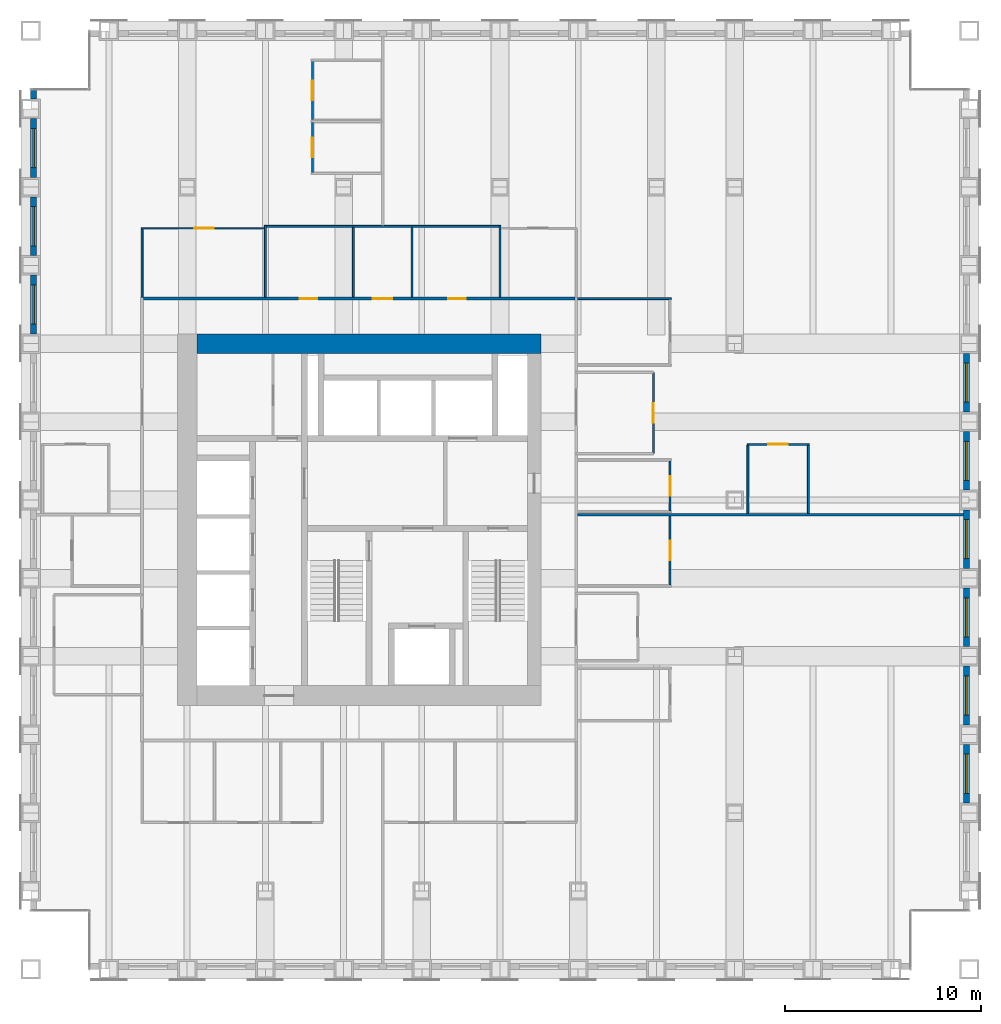
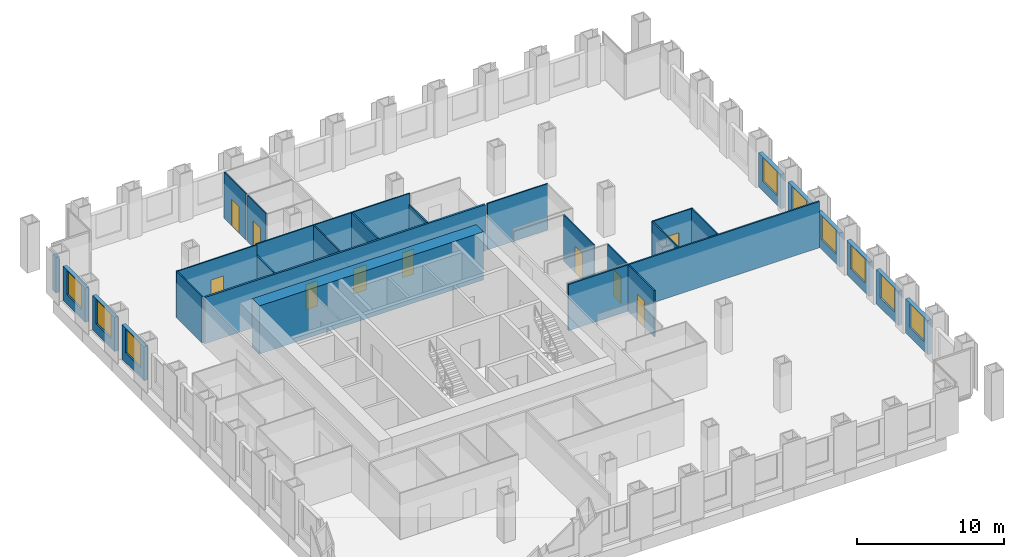
# One storey, part 13 of 16: 29 walls, 10 doors, 9 windows, 19 openings.
"""IFC4 building model written with IfcOpenShell, lengths in metres."""

from ifc_helpers import new_model, si_unit, direction, frame, frame_2d, origin, place, context, subcontext, project, spatial, rectangle, extrude, material, layer, layer_set, type_object, element, fill, save


model = new_model("IFC4")

# Units and contexts
model_context = context("Model", 3, precision=1e-05, world=origin(), true_north=direction((0.0, 1.0)))
body_context = subcontext(model_context, "Body", "Model", "MODEL_VIEW")
ifc_project = project(units=[si_unit("LENGTHUNIT", "METRE"), si_unit("AREAUNIT", "SQUARE_METRE"), si_unit("VOLUMEUNIT", "CUBIC_METRE"), si_unit("PLANEANGLEUNIT", "RADIAN"), si_unit("MASSUNIT", "GRAM", prefix="KILO")], contexts=[model_context])

# Site, building, storey
site_placement = place(None, origin())
site = spatial("IfcSite", under=ifc_project, at=site_placement, CompositionType="ELEMENT")
building_placement = place(site_placement, origin())
building = spatial("IfcBuilding", under=site, at=building_placement, Name="Rimbunsela Tower", CompositionType="ELEMENT")
storey_placement = place(building_placement, frame((0.0, 0.0, 129.39990234375)))
storey = spatial("IfcBuildingStorey", under=building, at=storey_placement, Name="L31", CompositionType="ELEMENT", Elevation=129.39990234375)

# Wall
ifc_material_1 = material(Name="Concrete fc' 80 MPa", Category="concrete")
ifc_layer_1 = layer(ifc_material_1, 1.0)
ifc_layer_set_1 = layer_set([ifc_layer_1], Name="Core wall 1000")
wall_type_1 = type_object("IfcWallType", Name="Core wall 1000", PredefinedType="SHEAR", material=ifc_layer_set_1)
wall_1_placement = place(storey_placement, frame((18.5, 36.0, -0.14990234375), z_axis=(0.0, 0.0, 1.0), x_axis=(1.0, 0.0, 0.0)))
element("IfcWall", 1, at=wall_1_placement, inside=storey, type_object=wall_type_1, Name="Core wall north", PredefinedType="SHEAR", context=body_context, shape_type="SweptSolid", body=[
    extrude(rectangle(XDim=17.60009765625, YDim=1.0, at=frame_2d((8.800048828125, 0.0))), origin(), (0.0, 0.0, 1.0), 4.0),
])

# Wall, opening, door
ifc_material_2 = material(Name="Gypsum board on steel studs", Category="steel")
ifc_layer_2 = layer(ifc_material_2, 0.10009765625)
ifc_layer_set_2 = layer_set([ifc_layer_2], Name="Office partition 100")
wall_type_2 = type_object("IfcWallType", Name="Office partition 100", PredefinedType="PARTITIONING", material=ifc_layer_set_2)
wall_2_placement = place(storey_placement, frame((46.625, 30.85009765625, 0.0), z_axis=(0.0, 0.0, 1.0), x_axis=(1.0, 0.0, 0.0)))
wall_2 = element("IfcWall", 2, at=wall_2_placement, inside=storey, type_object=wall_type_2, Name="Office partition", PredefinedType="PARTITIONING", context=body_context, shape_type="SweptSolid", body=[
    extrude(rectangle(XDim=3.199951171875, YDim=0.10009765625, at=frame_2d((1.60009765625, 0.0))), origin(), (0.0, 0.0, 1.0), 3.85009765625),
])
opening_1_placement = place(wall_2_placement, frame((1.10009765625, 0.0, 0.0)))
opening_1 = element("IfcOpeningElement", 3, at=opening_1_placement, cuts=wall_2, Name="Opening D16", PredefinedType="OPENING", context=body_context, shape_type="SweptSolid", body=[
    extrude(rectangle(XDim=1.0, YDim=2.199951171875, at=frame_2d((0.5, 1.10009765625))), frame((0.0, 0.06005859375, 0.0), z_axis=(0.0, -1.0, 0.0), x_axis=(1.0, 0.0, 0.0)), (0.0, 0.0, 1.0), 0.1201171875),
])
ifc_material_3 = material(Name="Timber door", Category="wood")
door_type_1 = type_object("IfcDoorType", Name="Office door 1000", OperationType="SINGLE_SWING_LEFT", PredefinedType="DOOR", material=ifc_material_3)
door_1_placement = place(opening_1_placement, origin())
door_1 = element("IfcDoor", 4, at=door_1_placement, inside=storey, type_object=door_type_1, Name="Office door", OperationType="SINGLE_SWING_LEFT", OverallHeight=2.199951171875, OverallWidth=1.0, PredefinedType="DOOR", context=body_context, shape_type="SweptSolid", body=[
    extrude(rectangle(XDim=1.0, YDim=2.199951171875, at=frame_2d((0.5, 1.10009765625))), frame((0.0, 0.02490234375, 0.0), z_axis=(0.0, -1.0, 0.0), x_axis=(1.0, 0.0, 0.0)), (0.0, 0.0, 1.0), 0.050048828125),
])
fill(opening_1, door_1)

# Wall
wall_3_placement = place(storey_placement, frame((37.97509765625, 38.300048828125, 0.0), z_axis=(0.0, 0.0, 1.0), x_axis=(1.0, 0.0, 0.0)))
element("IfcWall", 5, at=wall_3_placement, inside=storey, type_object=wall_type_2, Name="Office partition", PredefinedType="PARTITIONING", context=body_context, shape_type="SweptSolid", body=[
    extrude(rectangle(XDim=4.77490234375, YDim=0.10009765625, at=frame_2d((2.387451171875, 0.0))), origin(), (0.0, 0.0, 1.0), 3.85009765625),
])

# Wall, opening, door
wall_4_placement = place(storey_placement, frame((15.64990234375, 41.89990234375, 0.0), z_axis=(0.0, 0.0, 1.0), x_axis=(1.0, 0.0, 0.0)))
wall_4 = element("IfcWall", 6, at=wall_4_placement, inside=storey, type_object=wall_type_2, Name="Office partition", PredefinedType="PARTITIONING", context=body_context, shape_type="SweptSolid", body=[
    extrude(rectangle(XDim=6.300048828125, YDim=0.10009765625, at=frame_2d((3.14990234375, 0.0))), origin(), (0.0, 0.0, 1.0), 3.85009765625),
])
opening_2_placement = place(wall_4_placement, frame((2.699951171875, 0.0, 0.0)))
opening_2 = element("IfcOpeningElement", 7, at=opening_2_placement, cuts=wall_4, Name="Opening D17", PredefinedType="OPENING", context=body_context, shape_type="SweptSolid", body=[
    extrude(rectangle(XDim=1.0, YDim=2.199951171875, at=frame_2d((0.5, 1.10009765625))), frame((0.0, 0.06005859375, 0.0), z_axis=(0.0, -1.0, 0.0), x_axis=(1.0, 0.0, 0.0)), (0.0, 0.0, 1.0), 0.1201171875),
])
ifc_material_4 = material(Name="Glazed aluminium door", Category="aluminium")
door_type_2 = type_object("IfcDoorType", Name="Meeting room door 1000 glazed", OperationType="SINGLE_SWING_RIGHT", PredefinedType="DOOR", material=ifc_material_4)
door_2_placement = place(opening_2_placement, origin())
door_2 = element("IfcDoor", 8, at=door_2_placement, inside=storey, type_object=door_type_2, Name="Meeting room door", OperationType="SINGLE_SWING_RIGHT", OverallHeight=2.199951171875, OverallWidth=1.0, PredefinedType="DOOR", context=body_context, shape_type="SweptSolid", body=[
    extrude(rectangle(XDim=1.0, YDim=2.199951171875, at=frame_2d((0.5, 1.10009765625))), frame((0.0, 0.02490234375, 0.0), z_axis=(0.0, -1.0, 0.0), x_axis=(1.0, 0.0, 0.0)), (0.0, 0.0, 1.0), 0.050048828125),
])
fill(opening_2, door_2)

# Wall
wall_5_placement = place(storey_placement, frame((15.699951171875, 38.375, 0.0), z_axis=(0.0, 0.0, 1.0), x_axis=(0.0, 1.0, 0.0)))
element("IfcWall", 9, at=wall_5_placement, inside=storey, type_object=wall_type_2, Name="Office partition", PredefinedType="PARTITIONING", context=body_context, shape_type="SweptSolid", body=[
    extrude(rectangle(XDim=3.47509765625, YDim=0.10009765625, at=frame_2d((1.737548828125, 0.0))), origin(), (0.0, 0.0, 1.0), 3.85009765625),
])

# Wall, opening, door
wall_6_placement = place(storey_placement, frame((24.39990234375, 44.75, 0.0), z_axis=(0.0, 0.0, 1.0), x_axis=(0.0, 1.0, 0.0)))
wall_6 = element("IfcWall", 10, at=wall_6_placement, inside=storey, type_object=wall_type_2, Name="Office partition", PredefinedType="PARTITIONING", context=body_context, shape_type="SweptSolid", body=[
    extrude(rectangle(XDim=2.550048828125, YDim=0.10009765625, at=frame_2d((1.27490234375, 0.0))), origin(), (0.0, 0.0, 1.0), 3.85009765625),
])
opening_3_placement = place(wall_6_placement, frame((0.77490234375, 0.0, 0.0)))
opening_3 = element("IfcOpeningElement", 11, at=opening_3_placement, cuts=wall_6, Name="Opening D16", PredefinedType="OPENING", context=body_context, shape_type="SweptSolid", body=[
    extrude(rectangle(XDim=1.0, YDim=2.199951171875, at=frame_2d((0.5, 1.10009765625))), frame((0.0, 0.06005859375, 0.0), z_axis=(0.0, -1.0, 0.0), x_axis=(1.0, 0.0, 0.0)), (0.0, 0.0, 1.0), 0.1201171875),
])
door_3_placement = place(opening_3_placement, origin())
door_3 = element("IfcDoor", 12, at=door_3_placement, inside=storey, type_object=door_type_1, Name="Office door", OperationType="SINGLE_SWING_LEFT", OverallHeight=2.199951171875, OverallWidth=1.0, PredefinedType="DOOR", context=body_context, shape_type="SweptSolid", body=[
    extrude(rectangle(XDim=1.0, YDim=2.199951171875, at=frame_2d((0.5, 1.10009765625))), frame((0.0, 0.02490234375, 0.0), z_axis=(0.0, -1.0, 0.0), x_axis=(1.0, 0.0, 0.0)), (0.0, 0.0, 1.0), 0.050048828125),
])
fill(opening_3, door_3)

wall_7_placement = place(storey_placement, frame((24.39990234375, 47.449951171875, 0.0), z_axis=(0.0, 0.0, 1.0), x_axis=(0.0, 1.0, 0.0)))
wall_7 = element("IfcWall", 13, at=wall_7_placement, inside=storey, type_object=wall_type_2, Name="Office partition", PredefinedType="PARTITIONING", context=body_context, shape_type="SweptSolid", body=[
    extrude(rectangle(XDim=3.0, YDim=0.10009765625, at=frame_2d((1.5, 0.0))), origin(), (0.0, 0.0, 1.0), 3.85009765625),
])
opening_4_placement = place(wall_7_placement, frame((1.0, 0.0, 0.0)))
opening_4 = element("IfcOpeningElement", 14, at=opening_4_placement, cuts=wall_7, Name="Opening D16", PredefinedType="OPENING", context=body_context, shape_type="SweptSolid", body=[
    extrude(rectangle(XDim=1.0, YDim=2.199951171875, at=frame_2d((0.5, 1.10009765625))), frame((0.0, 0.06005859375, 0.0), z_axis=(0.0, -1.0, 0.0), x_axis=(1.0, 0.0, 0.0)), (0.0, 0.0, 1.0), 0.1201171875),
])
door_4_placement = place(opening_4_placement, origin())
door_4 = element("IfcDoor", 15, at=door_4_placement, inside=storey, type_object=door_type_1, Name="Office door", OperationType="SINGLE_SWING_LEFT", OverallHeight=2.199951171875, OverallWidth=1.0, PredefinedType="DOOR", context=body_context, shape_type="SweptSolid", body=[
    extrude(rectangle(XDim=1.0, YDim=2.199951171875, at=frame_2d((0.5, 1.10009765625))), frame((0.0, 0.02490234375, 0.0), z_axis=(0.0, -1.0, 0.0), x_axis=(1.0, 0.0, 0.0)), (0.0, 0.0, 1.0), 0.050048828125),
])
fill(opening_4, door_4)

wall_8_placement = place(storey_placement, frame((42.699951171875, 23.64892578125, 0.0), z_axis=(0.0, 0.0, 1.0), x_axis=(0.0, 1.0, 0.0)))
wall_8 = element("IfcWall", 16, at=wall_8_placement, inside=storey, type_object=wall_type_2, Name="Office partition", PredefinedType="PARTITIONING", context=body_context, shape_type="SweptSolid", body=[
    extrude(rectangle(XDim=3.5400390625, YDim=0.10009765625, at=frame_2d((1.77001953125, 0.0))), origin(), (0.0, 0.0, 1.0), 3.85009765625),
])
opening_5_placement = place(wall_8_placement, frame((1.27490234375, 0.0, 0.0)))
opening_5 = element("IfcOpeningElement", 17, at=opening_5_placement, cuts=wall_8, Name="Opening D16", PredefinedType="OPENING", context=body_context, shape_type="SweptSolid", body=[
    extrude(rectangle(XDim=1.0, YDim=2.199951171875, at=frame_2d((0.5, 1.10009765625))), frame((0.0, 0.06005859375, 0.0), z_axis=(0.0, -1.0, 0.0), x_axis=(1.0, 0.0, 0.0)), (0.0, 0.0, 1.0), 0.1201171875),
])
door_5_placement = place(opening_5_placement, origin())
door_5 = element("IfcDoor", 18, at=door_5_placement, inside=storey, type_object=door_type_1, Name="Office door", OperationType="SINGLE_SWING_LEFT", OverallHeight=2.199951171875, OverallWidth=1.0, PredefinedType="DOOR", context=body_context, shape_type="SweptSolid", body=[
    extrude(rectangle(XDim=1.0, YDim=2.199951171875, at=frame_2d((0.5, 1.10009765625))), frame((0.0, 0.02490234375, 0.0), z_axis=(0.0, -1.0, 0.0), x_axis=(1.0, 0.0, 0.0)), (0.0, 0.0, 1.0), 0.050048828125),
])
fill(opening_5, door_5)

wall_9_placement = place(storey_placement, frame((42.699951171875, 27.449951171875, 0.0), z_axis=(0.0, 0.0, 1.0), x_axis=(0.0, 1.0, 0.0)))
wall_9 = element("IfcWall", 19, at=wall_9_placement, inside=storey, type_object=wall_type_2, Name="Office partition", PredefinedType="PARTITIONING", context=body_context, shape_type="SweptSolid", body=[
    extrude(rectangle(XDim=2.550048828125, YDim=0.10009765625, at=frame_2d((1.27490234375, 0.0))), origin(), (0.0, 0.0, 1.0), 3.85009765625),
])
opening_6_placement = place(wall_9_placement, frame((0.77490234375, 0.0, 0.0)))
opening_6 = element("IfcOpeningElement", 20, at=opening_6_placement, cuts=wall_9, Name="Opening D16", PredefinedType="OPENING", context=body_context, shape_type="SweptSolid", body=[
    extrude(rectangle(XDim=1.0, YDim=2.199951171875, at=frame_2d((0.5, 1.10009765625))), frame((0.0, 0.06005859375, 0.0), z_axis=(0.0, -1.0, 0.0), x_axis=(1.0, 0.0, 0.0)), (0.0, 0.0, 1.0), 0.1201171875),
])
door_6_placement = place(opening_6_placement, origin())
door_6 = element("IfcDoor", 21, at=door_6_placement, inside=storey, type_object=door_type_1, Name="Office door", OperationType="SINGLE_SWING_LEFT", OverallHeight=2.199951171875, OverallWidth=1.0, PredefinedType="DOOR", context=body_context, shape_type="SweptSolid", body=[
    extrude(rectangle(XDim=1.0, YDim=2.199951171875, at=frame_2d((0.5, 1.10009765625))), frame((0.0, 0.02490234375, 0.0), z_axis=(0.0, -1.0, 0.0), x_axis=(1.0, 0.0, 0.0)), (0.0, 0.0, 1.0), 0.050048828125),
])
fill(opening_6, door_6)

# Walls
for number, where, z_axis, x_axis, name in (
    (22, (46.675048828125, 27.31005859375, 0.0), (0.0, 0.0, 1.0), (0.0, 1.0, 0.0), "Office partition"),
    (23, (49.77490234375, 27.31005859375, 0.0), (0.0, 0.0, 1.0), (0.0, 1.0, 0.0), "Office partition"),
):
    element("IfcWall", number, at=place(storey_placement, frame(where, z_axis=z_axis, x_axis=x_axis)), inside=storey, type_object=wall_type_2, Name=name, PredefinedType="PARTITIONING", context=body_context, shape_type="SweptSolid", body=[
        extrude(rectangle(XDim=3.489990234375, YDim=0.10009765625, at=frame_2d((1.7451171875, 0.0))), origin(), (0.0, 0.0, 1.0), 3.85009765625),
    ])

# Wall, opening, door
wall_10_placement = place(storey_placement, frame((41.85009765625, 30.3759765625, 0.0), z_axis=(0.0, 0.0, 1.0), x_axis=(0.0, 1.0, 0.0)))
wall_10 = element("IfcWall", 24, at=wall_10_placement, inside=storey, type_object=wall_type_2, Name="Office partition", PredefinedType="PARTITIONING", context=body_context, shape_type="SweptSolid", body=[
    extrude(rectangle(XDim=4.14990234375, YDim=0.10009765625, at=frame_2d((2.074951171875, 0.0))), origin(), (0.0, 0.0, 1.0), 3.85009765625),
])
opening_7_placement = place(wall_10_placement, frame((1.574951171875, 0.0, 0.0)))
opening_7 = element("IfcOpeningElement", 25, at=opening_7_placement, cuts=wall_10, Name="Opening D17", PredefinedType="OPENING", context=body_context, shape_type="SweptSolid", body=[
    extrude(rectangle(XDim=1.0, YDim=2.199951171875, at=frame_2d((0.5, 1.10009765625))), frame((0.0, 0.06005859375, 0.0), z_axis=(0.0, -1.0, 0.0), x_axis=(1.0, 0.0, 0.0)), (0.0, 0.0, 1.0), 0.1201171875),
])
door_7_placement = place(opening_7_placement, origin())
door_7 = element("IfcDoor", 26, at=door_7_placement, inside=storey, type_object=door_type_2, Name="Reception door", OperationType="SINGLE_SWING_RIGHT", OverallHeight=2.199951171875, OverallWidth=1.0, PredefinedType="DOOR", context=body_context, shape_type="SweptSolid", body=[
    extrude(rectangle(XDim=1.0, YDim=2.199951171875, at=frame_2d((0.5, 1.10009765625))), frame((0.0, 0.02490234375, 0.0), z_axis=(0.0, -1.0, 0.0), x_axis=(1.0, 0.0, 0.0)), (0.0, 0.0, 1.0), 0.050048828125),
])
fill(opening_7, door_7)

# Wall, opening, window
ifc_material_5 = material(Name="Precast concrete fc' 35 MPa", Category="concrete")
ifc_layer_3 = layer(ifc_material_5, 0.300048828125)
ifc_layer_set_3 = layer_set([ifc_layer_3], Name="Precast concrete fc' 35 MPa")
wall_type_3 = type_object("IfcWallType", Name="Precast facade panel 300", PredefinedType="ELEMENTEDWALL", material=ifc_layer_set_3)
wall_11_placement = place(storey_placement, frame((57.85009765625, 12.5, 0.0), z_axis=(0.0, 0.0, 1.0), x_axis=(0.0, 1.0, 0.0)))
wall_11 = element("IfcWall", 27, at=wall_11_placement, inside=storey, type_object=wall_type_3, Name="Facade panel E L31", PredefinedType="ELEMENTEDWALL", context=body_context, shape_type="SweptSolid", body=[
    extrude(rectangle(XDim=3.0, YDim=0.300048828125, at=frame_2d((1.5, 0.0))), origin(), (0.0, 0.0, 1.0), 2.85009765625),
])
opening_8_placement = place(wall_11_placement, frame((0.5, 0.0, 0.800048828125)))
opening_8 = element("IfcOpeningElement", 28, at=opening_8_placement, cuts=wall_11, Name="Opening W1", PredefinedType="OPENING", context=body_context, shape_type="SweptSolid", body=[
    extrude(rectangle(XDim=2.0, YDim=2.0, at=frame_2d((1.0, 1.0))), frame((0.0, 0.159912109375, 0.0), z_axis=(0.0, -1.0, 0.0), x_axis=(1.0, 0.0, 0.0)), (0.0, 0.0, 1.0), 0.320068359375),
])
ifc_material_6 = material(Name="Clear glass in aluminium frame", Category="aluminium")
window_type = type_object("IfcWindowType", Name="Window W1 2000x2000", PartitioningType="DOUBLE_PANEL_VERTICAL", PredefinedType="WINDOW", material=ifc_material_6)
window_1_placement = place(opening_8_placement, origin())
window_1 = element("IfcWindow", 29, at=window_1_placement, inside=storey, type_object=window_type, Name="Window L31", OverallHeight=2.0, OverallWidth=2.0, PartitioningType="SINGLE_PANEL", PredefinedType="WINDOW", context=body_context, shape_type="SweptSolid", body=[
    extrude(rectangle(XDim=2.0, YDim=2.0, at=frame_2d((1.0, 1.0))), frame((0.0, 0.030029296875, 0.0), z_axis=(0.0, -1.0, 0.0), x_axis=(1.0, 0.0, 0.0)), (0.0, 0.0, 1.0), 0.06005859375),
])
fill(opening_8, window_1)

wall_12_placement = place(storey_placement, frame((57.85009765625, 16.5, 0.0), z_axis=(0.0, 0.0, 1.0), x_axis=(0.0, 1.0, 0.0)))
wall_12 = element("IfcWall", 30, at=wall_12_placement, inside=storey, type_object=wall_type_3, Name="Facade panel E L31", PredefinedType="ELEMENTEDWALL", context=body_context, shape_type="SweptSolid", body=[
    extrude(rectangle(XDim=3.0, YDim=0.300048828125, at=frame_2d((1.5, 0.0))), origin(), (0.0, 0.0, 1.0), 2.85009765625),
])
opening_9_placement = place(wall_12_placement, frame((0.5, 0.0, 0.800048828125)))
opening_9 = element("IfcOpeningElement", 31, at=opening_9_placement, cuts=wall_12, Name="Opening W1", PredefinedType="OPENING", context=body_context, shape_type="SweptSolid", body=[
    extrude(rectangle(XDim=2.0, YDim=2.0, at=frame_2d((1.0, 1.0))), frame((0.0, 0.159912109375, 0.0), z_axis=(0.0, -1.0, 0.0), x_axis=(1.0, 0.0, 0.0)), (0.0, 0.0, 1.0), 0.320068359375),
])
window_2_placement = place(opening_9_placement, origin())
window_2 = element("IfcWindow", 32, at=window_2_placement, inside=storey, type_object=window_type, Name="Window L31", OverallHeight=2.0, OverallWidth=2.0, PartitioningType="SINGLE_PANEL", PredefinedType="WINDOW", context=body_context, shape_type="SweptSolid", body=[
    extrude(rectangle(XDim=2.0, YDim=2.0, at=frame_2d((1.0, 1.0))), frame((0.0, 0.030029296875, 0.0), z_axis=(0.0, -1.0, 0.0), x_axis=(1.0, 0.0, 0.0)), (0.0, 0.0, 1.0), 0.06005859375),
])
fill(opening_9, window_2)

wall_13_placement = place(storey_placement, frame((57.85009765625, 20.5, 0.0), z_axis=(0.0, 0.0, 1.0), x_axis=(0.0, 1.0, 0.0)))
wall_13 = element("IfcWall", 33, at=wall_13_placement, inside=storey, type_object=wall_type_3, Name="Facade panel E L31", PredefinedType="ELEMENTEDWALL", context=body_context, shape_type="SweptSolid", body=[
    extrude(rectangle(XDim=3.0, YDim=0.300048828125, at=frame_2d((1.5, 0.0))), origin(), (0.0, 0.0, 1.0), 2.85009765625),
])
opening_10_placement = place(wall_13_placement, frame((0.5, 0.0, 0.800048828125)))
opening_10 = element("IfcOpeningElement", 34, at=opening_10_placement, cuts=wall_13, Name="Opening W1", PredefinedType="OPENING", context=body_context, shape_type="SweptSolid", body=[
    extrude(rectangle(XDim=2.0, YDim=2.0, at=frame_2d((1.0, 1.0))), frame((0.0, 0.159912109375, 0.0), z_axis=(0.0, -1.0, 0.0), x_axis=(1.0, 0.0, 0.0)), (0.0, 0.0, 1.0), 0.320068359375),
])
window_3_placement = place(opening_10_placement, origin())
window_3 = element("IfcWindow", 35, at=window_3_placement, inside=storey, type_object=window_type, Name="Window L31", OverallHeight=2.0, OverallWidth=2.0, PartitioningType="SINGLE_PANEL", PredefinedType="WINDOW", context=body_context, shape_type="SweptSolid", body=[
    extrude(rectangle(XDim=2.0, YDim=2.0, at=frame_2d((1.0, 1.0))), frame((0.0, 0.030029296875, 0.0), z_axis=(0.0, -1.0, 0.0), x_axis=(1.0, 0.0, 0.0)), (0.0, 0.0, 1.0), 0.06005859375),
])
fill(opening_10, window_3)

wall_14_placement = place(storey_placement, frame((57.85009765625, 24.5, 0.0), z_axis=(0.0, 0.0, 1.0), x_axis=(0.0, 1.0, 0.0)))
wall_14 = element("IfcWall", 36, at=wall_14_placement, inside=storey, type_object=wall_type_3, Name="Facade panel E L31", PredefinedType="ELEMENTEDWALL", context=body_context, shape_type="SweptSolid", body=[
    extrude(rectangle(XDim=3.0, YDim=0.300048828125, at=frame_2d((1.5, 0.0))), origin(), (0.0, 0.0, 1.0), 2.85009765625),
])
opening_11_placement = place(wall_14_placement, frame((0.5, 0.0, 0.800048828125)))
opening_11 = element("IfcOpeningElement", 37, at=opening_11_placement, cuts=wall_14, Name="Opening W1", PredefinedType="OPENING", context=body_context, shape_type="SweptSolid", body=[
    extrude(rectangle(XDim=2.0, YDim=2.0, at=frame_2d((1.0, 1.0))), frame((0.0, 0.159912109375, 0.0), z_axis=(0.0, -1.0, 0.0), x_axis=(1.0, 0.0, 0.0)), (0.0, 0.0, 1.0), 0.320068359375),
])
window_4_placement = place(opening_11_placement, origin())
window_4 = element("IfcWindow", 38, at=window_4_placement, inside=storey, type_object=window_type, Name="Window L31", OverallHeight=2.0, OverallWidth=2.0, PartitioningType="SINGLE_PANEL", PredefinedType="WINDOW", context=body_context, shape_type="SweptSolid", body=[
    extrude(rectangle(XDim=2.0, YDim=2.0, at=frame_2d((1.0, 1.0))), frame((0.0, 0.030029296875, 0.0), z_axis=(0.0, -1.0, 0.0), x_axis=(1.0, 0.0, 0.0)), (0.0, 0.0, 1.0), 0.06005859375),
])
fill(opening_11, window_4)

wall_15_placement = place(storey_placement, frame((57.85009765625, 28.5, 0.0), z_axis=(0.0, 0.0, 1.0), x_axis=(0.0, 1.0, 0.0)))
wall_15 = element("IfcWall", 39, at=wall_15_placement, inside=storey, type_object=wall_type_3, Name="Facade panel E L31", PredefinedType="ELEMENTEDWALL", context=body_context, shape_type="SweptSolid", body=[
    extrude(rectangle(XDim=3.0, YDim=0.300048828125, at=frame_2d((1.5, 0.0))), origin(), (0.0, 0.0, 1.0), 2.85009765625),
])
opening_12_placement = place(wall_15_placement, frame((0.5, 0.0, 0.800048828125)))
opening_12 = element("IfcOpeningElement", 40, at=opening_12_placement, cuts=wall_15, Name="Opening W1", PredefinedType="OPENING", context=body_context, shape_type="SweptSolid", body=[
    extrude(rectangle(XDim=2.0, YDim=2.0, at=frame_2d((1.0, 1.0))), frame((0.0, 0.159912109375, 0.0), z_axis=(0.0, -1.0, 0.0), x_axis=(1.0, 0.0, 0.0)), (0.0, 0.0, 1.0), 0.320068359375),
])
window_5_placement = place(opening_12_placement, origin())
window_5 = element("IfcWindow", 41, at=window_5_placement, inside=storey, type_object=window_type, Name="Window L31", OverallHeight=2.0, OverallWidth=2.0, PartitioningType="SINGLE_PANEL", PredefinedType="WINDOW", context=body_context, shape_type="SweptSolid", body=[
    extrude(rectangle(XDim=2.0, YDim=2.0, at=frame_2d((1.0, 1.0))), frame((0.0, 0.030029296875, 0.0), z_axis=(0.0, -1.0, 0.0), x_axis=(1.0, 0.0, 0.0)), (0.0, 0.0, 1.0), 0.06005859375),
])
fill(opening_12, window_5)

wall_16_placement = place(storey_placement, frame((57.85009765625, 32.5, 0.0), z_axis=(0.0, 0.0, 1.0), x_axis=(0.0, 1.0, 0.0)))
wall_16 = element("IfcWall", 42, at=wall_16_placement, inside=storey, type_object=wall_type_3, Name="Facade panel E L31", PredefinedType="ELEMENTEDWALL", context=body_context, shape_type="SweptSolid", body=[
    extrude(rectangle(XDim=3.0, YDim=0.300048828125, at=frame_2d((1.5, 0.0))), origin(), (0.0, 0.0, 1.0), 2.85009765625),
])
opening_13_placement = place(wall_16_placement, frame((0.5, 0.0, 0.800048828125)))
opening_13 = element("IfcOpeningElement", 43, at=opening_13_placement, cuts=wall_16, Name="Opening W1", PredefinedType="OPENING", context=body_context, shape_type="SweptSolid", body=[
    extrude(rectangle(XDim=2.0, YDim=2.0, at=frame_2d((1.0, 1.0))), frame((0.0, 0.159912109375, 0.0), z_axis=(0.0, -1.0, 0.0), x_axis=(1.0, 0.0, 0.0)), (0.0, 0.0, 1.0), 0.320068359375),
])
window_6_placement = place(opening_13_placement, origin())
window_6 = element("IfcWindow", 44, at=window_6_placement, inside=storey, type_object=window_type, Name="Window L31", OverallHeight=2.0, OverallWidth=2.0, PartitioningType="SINGLE_PANEL", PredefinedType="WINDOW", context=body_context, shape_type="SweptSolid", body=[
    extrude(rectangle(XDim=2.0, YDim=2.0, at=frame_2d((1.0, 1.0))), frame((0.0, 0.030029296875, 0.0), z_axis=(0.0, -1.0, 0.0), x_axis=(1.0, 0.0, 0.0)), (0.0, 0.0, 1.0), 0.06005859375),
])
fill(opening_13, window_6)

wall_17_placement = place(storey_placement, frame((10.14990234375, 39.5, 0.0), z_axis=(0.0, 0.0, 1.0), x_axis=(0.0, -1.0, 0.0)))
wall_17 = element("IfcWall", 45, at=wall_17_placement, inside=storey, type_object=wall_type_3, Name="Facade panel W L31", PredefinedType="ELEMENTEDWALL", context=body_context, shape_type="SweptSolid", body=[
    extrude(rectangle(XDim=3.0, YDim=0.300048828125, at=frame_2d((1.5, 0.0))), origin(), (0.0, 0.0, 1.0), 2.85009765625),
])
opening_14_placement = place(wall_17_placement, frame((0.5, 0.0, 0.800048828125)))
opening_14 = element("IfcOpeningElement", 46, at=opening_14_placement, cuts=wall_17, Name="Opening W1", PredefinedType="OPENING", context=body_context, shape_type="SweptSolid", body=[
    extrude(rectangle(XDim=2.0, YDim=2.0, at=frame_2d((1.0, 1.0))), frame((0.0, 0.159912109375, 0.0), z_axis=(0.0, -1.0, 0.0), x_axis=(1.0, 0.0, 0.0)), (0.0, 0.0, 1.0), 0.320068359375),
])
window_7_placement = place(opening_14_placement, origin())
window_7 = element("IfcWindow", 47, at=window_7_placement, inside=storey, type_object=window_type, Name="Window L31", OverallHeight=2.0, OverallWidth=2.0, PartitioningType="SINGLE_PANEL", PredefinedType="WINDOW", context=body_context, shape_type="SweptSolid", body=[
    extrude(rectangle(XDim=2.0, YDim=2.0, at=frame_2d((1.0, 1.0))), frame((0.0, 0.030029296875, 0.0), z_axis=(0.0, -1.0, 0.0), x_axis=(1.0, 0.0, 0.0)), (0.0, 0.0, 1.0), 0.06005859375),
])
fill(opening_14, window_7)

wall_18_placement = place(storey_placement, frame((10.14990234375, 43.5, 0.0), z_axis=(0.0, 0.0, 1.0), x_axis=(0.0, -1.0, 0.0)))
wall_18 = element("IfcWall", 48, at=wall_18_placement, inside=storey, type_object=wall_type_3, Name="Facade panel W L31", PredefinedType="ELEMENTEDWALL", context=body_context, shape_type="SweptSolid", body=[
    extrude(rectangle(XDim=3.0, YDim=0.300048828125, at=frame_2d((1.5, 0.0))), origin(), (0.0, 0.0, 1.0), 2.85009765625),
])
opening_15_placement = place(wall_18_placement, frame((0.5, 0.0, 0.800048828125)))
opening_15 = element("IfcOpeningElement", 49, at=opening_15_placement, cuts=wall_18, Name="Opening W1", PredefinedType="OPENING", context=body_context, shape_type="SweptSolid", body=[
    extrude(rectangle(XDim=2.0, YDim=2.0, at=frame_2d((1.0, 1.0))), frame((0.0, 0.159912109375, 0.0), z_axis=(0.0, -1.0, 0.0), x_axis=(1.0, 0.0, 0.0)), (0.0, 0.0, 1.0), 0.320068359375),
])
window_8_placement = place(opening_15_placement, origin())
window_8 = element("IfcWindow", 50, at=window_8_placement, inside=storey, type_object=window_type, Name="Window L31", OverallHeight=2.0, OverallWidth=2.0, PartitioningType="SINGLE_PANEL", PredefinedType="WINDOW", context=body_context, shape_type="SweptSolid", body=[
    extrude(rectangle(XDim=2.0, YDim=2.0, at=frame_2d((1.0, 1.0))), frame((0.0, 0.030029296875, 0.0), z_axis=(0.0, -1.0, 0.0), x_axis=(1.0, 0.0, 0.0)), (0.0, 0.0, 1.0), 0.06005859375),
])
fill(opening_15, window_8)

wall_19_placement = place(storey_placement, frame((10.14990234375, 47.5, 0.0), z_axis=(0.0, 0.0, 1.0), x_axis=(0.0, -1.0, 0.0)))
wall_19 = element("IfcWall", 51, at=wall_19_placement, inside=storey, type_object=wall_type_3, Name="Facade panel W L31", PredefinedType="ELEMENTEDWALL", context=body_context, shape_type="SweptSolid", body=[
    extrude(rectangle(XDim=3.0, YDim=0.300048828125, at=frame_2d((1.5, 0.0))), origin(), (0.0, 0.0, 1.0), 2.85009765625),
])
opening_16_placement = place(wall_19_placement, frame((0.5, 0.0, 0.800048828125)))
opening_16 = element("IfcOpeningElement", 52, at=opening_16_placement, cuts=wall_19, Name="Opening W1", PredefinedType="OPENING", context=body_context, shape_type="SweptSolid", body=[
    extrude(rectangle(XDim=2.0, YDim=2.0, at=frame_2d((1.0, 1.0))), frame((0.0, 0.159912109375, 0.0), z_axis=(0.0, -1.0, 0.0), x_axis=(1.0, 0.0, 0.0)), (0.0, 0.0, 1.0), 0.320068359375),
])
window_9_placement = place(opening_16_placement, origin())
window_9 = element("IfcWindow", 53, at=window_9_placement, inside=storey, type_object=window_type, Name="Window L31", OverallHeight=2.0, OverallWidth=2.0, PartitioningType="SINGLE_PANEL", PredefinedType="WINDOW", context=body_context, shape_type="SweptSolid", body=[
    extrude(rectangle(XDim=2.0, YDim=2.0, at=frame_2d((1.0, 1.0))), frame((0.0, 0.030029296875, 0.0), z_axis=(0.0, -1.0, 0.0), x_axis=(1.0, 0.0, 0.0)), (0.0, 0.0, 1.0), 0.06005859375),
])
fill(opening_16, window_9)

# Wall
wall_20_placement = place(storey_placement, frame((10.14990234375, 48.969970703125, 0.0), z_axis=(0.0, 0.0, 1.0), x_axis=(0.0, -1.0, 0.0)))
element("IfcWall", 54, at=wall_20_placement, inside=storey, type_object=wall_type_3, Name="Facade panel W L31", PredefinedType="ELEMENTEDWALL", context=body_context, shape_type="SweptSolid", body=[
    extrude(rectangle(XDim=0.469970703125, YDim=0.300048828125, at=frame_2d((0.23486328125, 0.0))), origin(), (0.0, 0.0, 1.0), 2.9501953125),
])

# Wall, openings, doors
ifc_material_7 = material(Name="Fire-rated gypsum board on steel studs, EI 60", Category="steel")
ifc_layer_4 = layer(ifc_material_7, 0.14990234375)
ifc_layer_set_4 = layer_set([ifc_layer_4], Name="Rated corridor wall 150")
wall_type_4 = type_object("IfcWallType", Name="Rated corridor wall 150", PredefinedType="PARTITIONING", material=ifc_layer_set_4)
wall_21_placement = place(storey_placement, frame((15.77490234375, 38.300048828125, 0.0), z_axis=(0.0, 0.0, 1.0), x_axis=(1.0, 0.0, 0.0)))
wall_21 = element("IfcWall", 55, at=wall_21_placement, inside=storey, type_object=wall_type_4, Name="Corridor wall north", PredefinedType="PARTITIONING", context=body_context, shape_type="SweptSolid", body=[
    extrude(rectangle(XDim=22.050048828125, YDim=0.14990234375, at=frame_2d((11.02490234375, 0.0))), origin(), (0.0, 0.0, 1.0), 3.85009765625),
])
opening_17_placement = place(wall_21_placement, frame((7.97509765625, 0.0, 0.0)))
opening_17 = element("IfcOpeningElement", 56, at=opening_17_placement, cuts=wall_21, Name="Opening D04", PredefinedType="OPENING", context=body_context, shape_type="SweptSolid", body=[
    extrude(rectangle(XDim=0.89990234375, YDim=2.10009765625, at=frame_2d((0.449951171875, 1.050048828125))), frame((0.0, 0.0849609375, 0.0), z_axis=(0.0, -1.0, 0.0), x_axis=(1.0, 0.0, 0.0)), (0.0, 0.0, 1.0), 0.169921875),
])
opening_18_placement = place(wall_21_placement, frame((11.72509765625, 0.0, 0.0)))
opening_18 = element("IfcOpeningElement", 57, at=opening_18_placement, cuts=wall_21, Name="Opening D05", PredefinedType="OPENING", context=body_context, shape_type="SweptSolid", body=[
    extrude(rectangle(XDim=1.0, YDim=2.10009765625, at=frame_2d((0.5, 1.050048828125))), frame((0.0, 0.0849609375, 0.0), z_axis=(0.0, -1.0, 0.0), x_axis=(1.0, 0.0, 0.0)), (0.0, 0.0, 1.0), 0.169921875),
])
opening_19_placement = place(wall_21_placement, frame((15.574951171875, 0.0, 0.0)))
opening_19 = element("IfcOpeningElement", 58, at=opening_19_placement, cuts=wall_21, Name="Opening D04", PredefinedType="OPENING", context=body_context, shape_type="SweptSolid", body=[
    extrude(rectangle(XDim=0.89990234375, YDim=2.10009765625, at=frame_2d((0.449951171875, 1.050048828125))), frame((0.0, 0.0849609375, 0.0), z_axis=(0.0, -1.0, 0.0), x_axis=(1.0, 0.0, 0.0)), (0.0, 0.0, 1.0), 0.169921875),
])
ifc_material_8 = material(Name="Timber door", Category="wood")
door_type_3 = type_object("IfcDoorType", Name="Accessible WC door 1000", OperationType="SLIDING_TO_LEFT", PredefinedType="DOOR", material=ifc_material_8)
door_8_placement = place(opening_18_placement, origin())
door_8 = element("IfcDoor", 59, at=door_8_placement, inside=storey, type_object=door_type_3, Name="Accessible WC door", OperationType="SLIDING_TO_LEFT", OverallHeight=2.10009765625, OverallWidth=1.0, PredefinedType="DOOR", context=body_context, shape_type="SweptSolid", body=[
    extrude(rectangle(XDim=1.0, YDim=2.10009765625, at=frame_2d((0.5, 1.050048828125))), frame((0.0, 0.02490234375, 0.0), z_axis=(0.0, -1.0, 0.0), x_axis=(1.0, 0.0, 0.0)), (0.0, 0.0, 1.0), 0.050048828125),
])
fill(opening_18, door_8)
ifc_material_9 = material(Name="Timber door", Category="wood")
door_type_4 = type_object("IfcDoorType", Name="Toilet door 900", OperationType="SINGLE_SWING_LEFT", PredefinedType="DOOR", material=ifc_material_9)
door_9_placement = place(opening_17_placement, origin())
door_9 = element("IfcDoor", 60, at=door_9_placement, inside=storey, type_object=door_type_4, Name="Female WC door", OperationType="SINGLE_SWING_LEFT", OverallHeight=2.10009765625, OverallWidth=0.89990234375, PredefinedType="DOOR", context=body_context, shape_type="SweptSolid", body=[
    extrude(rectangle(XDim=0.89990234375, YDim=2.10009765625, at=frame_2d((0.449951171875, 1.050048828125))), frame((0.0, 0.02490234375, 0.0), z_axis=(0.0, -1.0, 0.0), x_axis=(1.0, 0.0, 0.0)), (0.0, 0.0, 1.0), 0.050048828125),
])
fill(opening_17, door_9)
door_10_placement = place(opening_19_placement, origin())
door_10 = element("IfcDoor", 61, at=door_10_placement, inside=storey, type_object=door_type_4, Name="Male WC door", OperationType="SINGLE_SWING_LEFT", OverallHeight=2.10009765625, OverallWidth=0.89990234375, PredefinedType="DOOR", context=body_context, shape_type="SweptSolid", body=[
    extrude(rectangle(XDim=0.89990234375, YDim=2.10009765625, at=frame_2d((0.449951171875, 1.050048828125))), frame((0.0, 0.02490234375, 0.0), z_axis=(0.0, -1.0, 0.0), x_axis=(1.0, 0.0, 0.0)), (0.0, 0.0, 1.0), 0.050048828125),
])
fill(opening_19, door_10)

# Walls
ifc_material_10 = material(Name="Gypsum board on steel studs", Category="steel")
ifc_layer_5 = layer(ifc_material_10, 0.1201171875)
ifc_layer_set_5 = layer_set([ifc_layer_5], Name="Tenancy partition 120")
wall_type_5 = type_object("IfcWallType", Name="Tenancy partition 120", PredefinedType="PARTITIONING", material=ifc_layer_set_5)
wall_22_placement = place(storey_placement, frame((37.97509765625, 27.25, 0.0), z_axis=(0.0, 0.0, 1.0), x_axis=(1.0, 0.0, 0.0)))
element("IfcWall", 62, at=wall_22_placement, inside=storey, type_object=wall_type_5, Name="Tenancy partition", PredefinedType="PARTITIONING", context=body_context, shape_type="SweptSolid", body=[
    extrude(rectangle(XDim=19.724853515625, YDim=0.1201171875, at=frame_2d((9.8623046875, 0.0))), origin(), (0.0, 0.0, 1.0), 3.85009765625),
])
ifc_material_11 = material(Name="Concrete blockwork", Category="masonry")
ifc_layer_6 = layer(ifc_material_11, 0.10009765625)
ifc_layer_set_6 = layer_set([ifc_layer_6], Name="Toilet partition 100")
wall_type_6 = type_object("IfcWallType", Name="Toilet partition 100", PredefinedType="PARTITIONING", material=ifc_layer_set_6)
for number, where, z_axis, x_axis, name in (
    (63, (22.0, 38.375, 0.0), (0.0, 0.0, 1.0), (0.0, 1.0, 0.0), "Toilet block wall west"),
    (64, (34.0, 38.375, 0.0), (0.0, 0.0, 1.0), (0.0, 1.0, 0.0), "Toilet block wall east"),
):
    element("IfcWall", number, at=place(storey_placement, frame(where, z_axis=z_axis, x_axis=x_axis)), inside=storey, type_object=wall_type_6, Name=name, PredefinedType="PARTITIONING", context=body_context, shape_type="SweptSolid", body=[
        extrude(rectangle(XDim=3.675048828125, YDim=0.10009765625, at=frame_2d((1.83740234375, 0.0))), origin(), (0.0, 0.0, 1.0), 2.9501953125),
    ])
wall_23_placement = place(storey_placement, frame((21.949951171875, 42.0, 0.0), z_axis=(0.0, 0.0, 1.0), x_axis=(1.0, 0.0, 0.0)))
element("IfcWall", 65, at=wall_23_placement, inside=storey, type_object=wall_type_6, Name="Toilet block wall north", PredefinedType="PARTITIONING", context=body_context, shape_type="SweptSolid", body=[
    extrude(rectangle(XDim=12.10009765625, YDim=0.10009765625, at=frame_2d((6.050048828125, 0.0))), origin(), (0.0, 0.0, 1.0), 3.85009765625),
])
for number, where, z_axis, x_axis, name in (
    (66, (26.5, 38.375, 0.0), (0.0, 0.0, 1.0), (0.0, 1.0, 0.0), "Toilet partition"),
    (67, (29.5, 38.375, 0.0), (0.0, 0.0, 1.0), (0.0, 1.0, 0.0), "Toilet partition"),
):
    element("IfcWall", number, at=place(storey_placement, frame(where, z_axis=z_axis, x_axis=x_axis)), inside=storey, type_object=wall_type_6, Name=name, PredefinedType="PARTITIONING", context=body_context, shape_type="SweptSolid", body=[
        extrude(rectangle(XDim=3.574951171875, YDim=0.10009765625, at=frame_2d((1.78759765625, 0.0))), origin(), (0.0, 0.0, 1.0), 3.85009765625),
    ])

save(model, "model.ifc")
